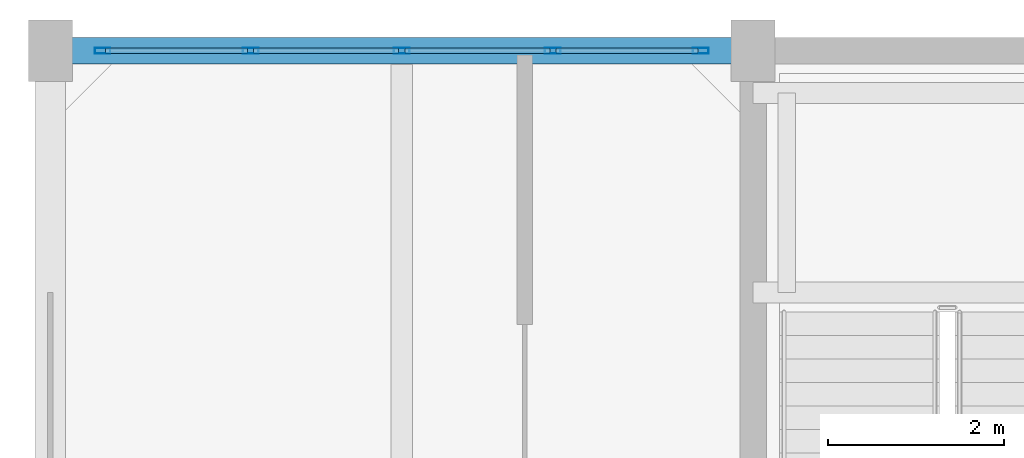
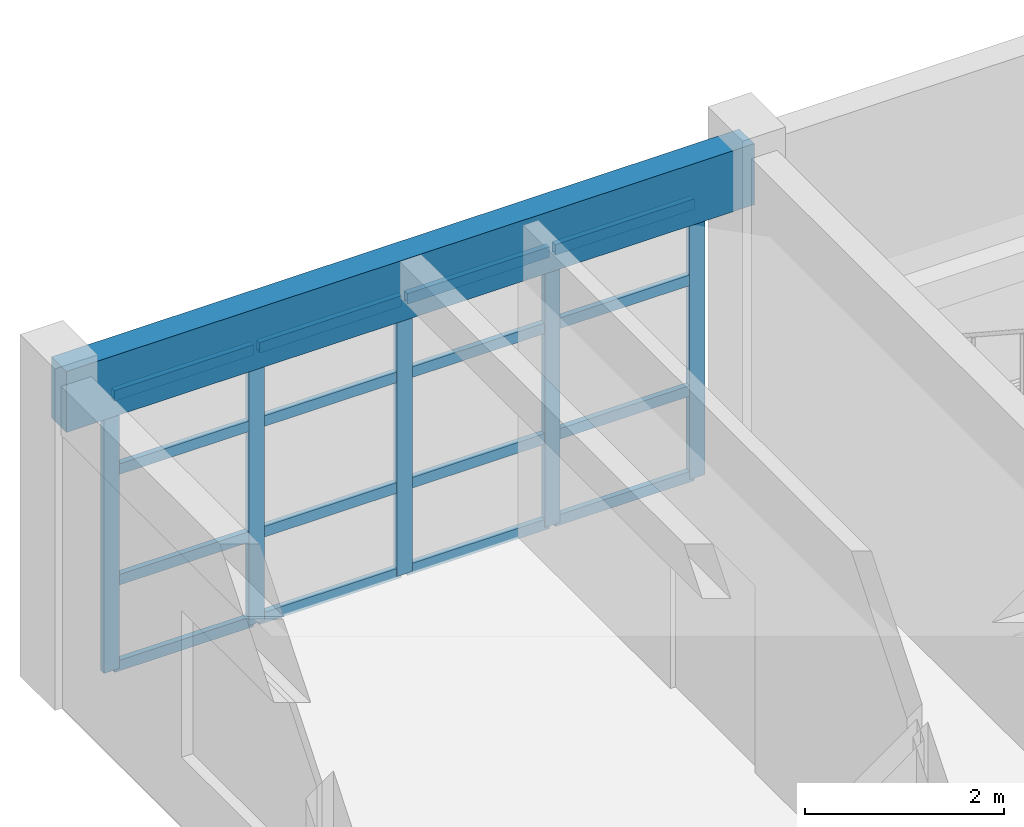
# One storey, part 11 of 18: 21 members, 1 beam, 1 element without a shape of its own.
"""IFC4 building model written with IfcOpenShell, lengths in metres."""

from ifc_helpers import new_model, si_unit, direction, frame, origin, origin_2d, place, context, subcontext, project, spatial, rectangle, hollow_rectangle, extrude, material, layer, layer_set, material_profile, profile_set, type_object, element, aggregate, save


model = new_model("IFC4")

# Units and contexts
model_context = context("Model", 3, precision=1e-05, world=origin(), true_north=direction((0.0, 1.0)))
body_context = subcontext(model_context, "Body", "Model", "MODEL_VIEW")
ifc_project = project(units=[si_unit("LENGTHUNIT", "METRE"), si_unit("AREAUNIT", "SQUARE_METRE"), si_unit("VOLUMEUNIT", "CUBIC_METRE"), si_unit("PLANEANGLEUNIT", "RADIAN"), si_unit("MASSUNIT", "GRAM", prefix="KILO")], contexts=[model_context])

# Site, building, storey
site_placement = place(None, origin())
site = spatial("IfcSite", under=ifc_project, at=site_placement, CompositionType="ELEMENT")
building_placement = place(site_placement, origin())
building = spatial("IfcBuilding", under=site, at=building_placement, Name="Canggui Botanical Conservatory", CompositionType="ELEMENT")
storey_placement = place(building_placement, frame((0.0, 0.0, 52.800048828125)))
storey = spatial("IfcBuildingStorey", under=building, at=storey_placement, Name="L13", CompositionType="ELEMENT", Elevation=52.800048828125)

# Beam
ifc_material_1 = material(Name="Concrete C35", Category="concrete")
ifc_material_profile_1 = material_profile(ifc_material_1, rectangle(XDim=0.300048828125, YDim=0.75, at=origin_2d()), Name="RB 300x750")
ifc_profile_set_1 = profile_set([ifc_material_profile_1], Name="Concrete C35")
beam_type = type_object("IfcBeamType", Name="BM-SPD01", PredefinedType="SPANDREL", material=ifc_profile_set_1)
beam_placement = place(storey_placement, frame((146.0, 66.0, 3.5849609375), z_axis=(1.0, 0.0, 0.0), x_axis=(0.0, 1.0, 0.0)))
element("IfcBeam", 1, at=beam_placement, inside=storey, type_object=beam_type, Name="Frame Girder L13 Y66-1", PredefinedType="SPANDREL", context=body_context, shape_type="SweptSolid", body=[
    extrude(rectangle(XDim=0.300048828125, YDim=0.75, at=origin_2d()), origin(), (0.0, 0.0, 1.0), 8.0),
])

# Curtain wall, members
ifc_material_2 = material(Name="Thermally Broken Aluminium", Category="aluminium")
ifc_layer = layer(ifc_material_2, 0.179931640625, Name="Thermally Broken Aluminium", Category="aluminium")
ifc_layer_set = layer_set([ifc_layer], Name="Thermally Broken Aluminium")
curtain_wall_type = type_object("IfcCurtainWallType", Name="CW-UNIT-A", PredefinedType="USERDEFINED", material=ifc_layer_set)
curtain_wall_placement = place(storey_placement, origin())
curtain_wall = element("IfcCurtainWall", 2, at=curtain_wall_placement, inside=storey, type_object=curtain_wall_type, Name="Facade Curtain Wall CW-TWR-L13-09", ObjectType="UNITISED CURTAIN WALL", PredefinedType="USERDEFINED")
ifc_material_profile_2 = material_profile(ifc_material_2, hollow_rectangle(XDim=0.070068359375, YDim=0.179931640625, WallThickness=0.00390625, at=origin_2d()), Name="CWM 70x180x4")
ifc_profile_set_2 = profile_set([ifc_material_profile_2], Name="Thermally Broken Aluminium")
member_type_1 = type_object("IfcMemberType", Name="CWM-01", PredefinedType="MULLION", material=ifc_profile_set_2)
member_1_placement = place(storey_placement, frame((146.594970703125, 66.0, 0.0), z_axis=(0.0, 0.0, 1.0), x_axis=(0.0, 1.0, 0.0)))
member_1 = element("IfcMember", 3, at=member_1_placement, type_object=member_type_1, Name="CW-01 mullion 1", PredefinedType="MULLION", context=body_context, shape_type="SweptSolid", body=[
    extrude(hollow_rectangle(XDim=0.070068359375, YDim=0.179931640625, WallThickness=0.00390625, at=origin_2d()), origin(), (0.0, 0.0, 1.0), 3.39990234375),
])
member_2_placement = place(storey_placement, frame((148.280029296875, 66.0, 0.0), z_axis=(0.0, 0.0, 1.0), x_axis=(0.0, 1.0, 0.0)))
member_2 = element("IfcMember", 4, at=member_2_placement, type_object=member_type_1, Name="CW-01 mullion 2", PredefinedType="MULLION", context=body_context, shape_type="SweptSolid", body=[
    extrude(hollow_rectangle(XDim=0.070068359375, YDim=0.179931640625, WallThickness=0.00390625, at=origin_2d()), origin(), (0.0, 0.0, 1.0), 3.39990234375),
])
member_3_placement = place(storey_placement, frame((150.0, 66.0, 0.0), z_axis=(0.0, 0.0, 1.0), x_axis=(0.0, 1.0, 0.0)))
member_3 = element("IfcMember", 5, at=member_3_placement, type_object=member_type_1, Name="CW-01 mullion 3", PredefinedType="MULLION", context=body_context, shape_type="SweptSolid", body=[
    extrude(hollow_rectangle(XDim=0.070068359375, YDim=0.179931640625, WallThickness=0.00390625, at=origin_2d()), origin(), (0.0, 0.0, 1.0), 3.39990234375),
])
member_4_placement = place(storey_placement, frame((151.719970703125, 66.0, 0.0), z_axis=(0.0, 0.0, 1.0), x_axis=(0.0, 1.0, 0.0)))
member_4 = element("IfcMember", 6, at=member_4_placement, type_object=member_type_1, Name="CW-01 mullion 4", PredefinedType="MULLION", context=body_context, shape_type="SweptSolid", body=[
    extrude(hollow_rectangle(XDim=0.070068359375, YDim=0.179931640625, WallThickness=0.00390625, at=origin_2d()), origin(), (0.0, 0.0, 1.0), 3.39990234375),
])
member_5_placement = place(storey_placement, frame((153.405029296875, 66.0, 0.0), z_axis=(0.0, 0.0, 1.0), x_axis=(0.0, 1.0, 0.0)))
member_5 = element("IfcMember", 7, at=member_5_placement, type_object=member_type_1, Name="CW-01 mullion 5", PredefinedType="MULLION", context=body_context, shape_type="SweptSolid", body=[
    extrude(hollow_rectangle(XDim=0.070068359375, YDim=0.179931640625, WallThickness=0.00390625, at=origin_2d()), origin(), (0.0, 0.0, 1.0), 3.39990234375),
])
ifc_material_profile_3 = material_profile(ifc_material_2, hollow_rectangle(XDim=0.06494140625, YDim=0.1298828125, WallThickness=0.00341796875, at=origin_2d()), Name="CWT 65x130x3.5")
ifc_profile_set_3 = profile_set([ifc_material_profile_3], Name="Thermally Broken Aluminium")
member_type_2 = type_object("IfcMemberType", Name="CWT-01", PredefinedType="USERDEFINED", material=ifc_profile_set_3)
member_6_placement = place(storey_placement, frame((146.6298828125, 66.0, 0.032470703125), z_axis=(1.0, 0.0, 0.0), x_axis=(0.0, 1.0, 0.0)))
member_6 = element("IfcMember", 8, at=member_6_placement, type_object=member_type_2, Name="CW-01 transom 1.1", ObjectType="TRANSOM", PredefinedType="USERDEFINED", context=body_context, shape_type="SweptSolid", body=[
    extrude(hollow_rectangle(XDim=0.06494140625, YDim=0.1298828125, WallThickness=0.00341796875, at=origin_2d()), origin(), (0.0, 0.0, 1.0), 1.615234375),
])
member_7_placement = place(storey_placement, frame((146.6298828125, 66.0, 1.087890625), z_axis=(1.0, 0.0, 0.0), x_axis=(0.0, 1.0, 0.0)))
member_7 = element("IfcMember", 9, at=member_7_placement, type_object=member_type_2, Name="CW-01 transom 1.2", ObjectType="TRANSOM", PredefinedType="USERDEFINED", context=body_context, shape_type="SweptSolid", body=[
    extrude(hollow_rectangle(XDim=0.06494140625, YDim=0.1298828125, WallThickness=0.00341796875, at=origin_2d()), origin(), (0.0, 0.0, 1.0), 1.615234375),
])
member_8_placement = place(storey_placement, frame((146.6298828125, 66.0, 2.447998046875), z_axis=(1.0, 0.0, 0.0), x_axis=(0.0, 1.0, 0.0)))
member_8 = element("IfcMember", 10, at=member_8_placement, type_object=member_type_2, Name="CW-01 transom 1.3", ObjectType="TRANSOM", PredefinedType="USERDEFINED", context=body_context, shape_type="SweptSolid", body=[
    extrude(hollow_rectangle(XDim=0.06494140625, YDim=0.1298828125, WallThickness=0.00341796875, at=origin_2d()), origin(), (0.0, 0.0, 1.0), 1.615234375),
])
member_9_placement = place(storey_placement, frame((146.6298828125, 66.0, 3.367431640625), z_axis=(1.0, 0.0, 0.0), x_axis=(0.0, 1.0, 0.0)))
member_9 = element("IfcMember", 11, at=member_9_placement, type_object=member_type_2, Name="CW-01 transom 1.4", ObjectType="TRANSOM", PredefinedType="USERDEFINED", context=body_context, shape_type="SweptSolid", body=[
    extrude(hollow_rectangle(XDim=0.06494140625, YDim=0.1298828125, WallThickness=0.00341796875, at=origin_2d()), origin(), (0.0, 0.0, 1.0), 1.615234375),
])
member_10_placement = place(storey_placement, frame((148.31494140625, 66.0, 0.032470703125), z_axis=(1.0, 0.0, 0.0), x_axis=(0.0, 1.0, 0.0)))
member_10 = element("IfcMember", 12, at=member_10_placement, type_object=member_type_2, Name="CW-01 transom 2.1", ObjectType="TRANSOM", PredefinedType="USERDEFINED", context=body_context, shape_type="SweptSolid", body=[
    extrude(hollow_rectangle(XDim=0.06494140625, YDim=0.1298828125, WallThickness=0.00341796875, at=origin_2d()), origin(), (0.0, 0.0, 1.0), 1.650146484375),
])
member_11_placement = place(storey_placement, frame((148.31494140625, 66.0, 1.087890625), z_axis=(1.0, 0.0, 0.0), x_axis=(0.0, 1.0, 0.0)))
member_11 = element("IfcMember", 13, at=member_11_placement, type_object=member_type_2, Name="CW-01 transom 2.2", ObjectType="TRANSOM", PredefinedType="USERDEFINED", context=body_context, shape_type="SweptSolid", body=[
    extrude(hollow_rectangle(XDim=0.06494140625, YDim=0.1298828125, WallThickness=0.00341796875, at=origin_2d()), origin(), (0.0, 0.0, 1.0), 1.650146484375),
])
member_12_placement = place(storey_placement, frame((148.31494140625, 66.0, 2.447998046875), z_axis=(1.0, 0.0, 0.0), x_axis=(0.0, 1.0, 0.0)))
member_12 = element("IfcMember", 14, at=member_12_placement, type_object=member_type_2, Name="CW-01 transom 2.3", ObjectType="TRANSOM", PredefinedType="USERDEFINED", context=body_context, shape_type="SweptSolid", body=[
    extrude(hollow_rectangle(XDim=0.06494140625, YDim=0.1298828125, WallThickness=0.00341796875, at=origin_2d()), origin(), (0.0, 0.0, 1.0), 1.650146484375),
])
member_13_placement = place(storey_placement, frame((148.31494140625, 66.0, 3.367431640625), z_axis=(1.0, 0.0, 0.0), x_axis=(0.0, 1.0, 0.0)))
member_13 = element("IfcMember", 15, at=member_13_placement, type_object=member_type_2, Name="CW-01 transom 2.4", ObjectType="TRANSOM", PredefinedType="USERDEFINED", context=body_context, shape_type="SweptSolid", body=[
    extrude(hollow_rectangle(XDim=0.06494140625, YDim=0.1298828125, WallThickness=0.00341796875, at=origin_2d()), origin(), (0.0, 0.0, 1.0), 1.650146484375),
])
member_14_placement = place(storey_placement, frame((150.034912109375, 66.0, 0.032470703125), z_axis=(1.0, 0.0, 0.0), x_axis=(0.0, 1.0, 0.0)))
member_14 = element("IfcMember", 16, at=member_14_placement, type_object=member_type_2, Name="CW-01 transom 3.1", ObjectType="TRANSOM", PredefinedType="USERDEFINED", context=body_context, shape_type="SweptSolid", body=[
    extrude(hollow_rectangle(XDim=0.06494140625, YDim=0.1298828125, WallThickness=0.00341796875, at=origin_2d()), origin(), (0.0, 0.0, 1.0), 1.650146484375),
])
member_15_placement = place(storey_placement, frame((150.034912109375, 66.0, 1.087890625), z_axis=(1.0, 0.0, 0.0), x_axis=(0.0, 1.0, 0.0)))
member_15 = element("IfcMember", 17, at=member_15_placement, type_object=member_type_2, Name="CW-01 transom 3.2", ObjectType="TRANSOM", PredefinedType="USERDEFINED", context=body_context, shape_type="SweptSolid", body=[
    extrude(hollow_rectangle(XDim=0.06494140625, YDim=0.1298828125, WallThickness=0.00341796875, at=origin_2d()), origin(), (0.0, 0.0, 1.0), 1.650146484375),
])
member_16_placement = place(storey_placement, frame((150.034912109375, 66.0, 2.447998046875), z_axis=(1.0, 0.0, 0.0), x_axis=(0.0, 1.0, 0.0)))
member_16 = element("IfcMember", 18, at=member_16_placement, type_object=member_type_2, Name="CW-01 transom 3.3", ObjectType="TRANSOM", PredefinedType="USERDEFINED", context=body_context, shape_type="SweptSolid", body=[
    extrude(hollow_rectangle(XDim=0.06494140625, YDim=0.1298828125, WallThickness=0.00341796875, at=origin_2d()), origin(), (0.0, 0.0, 1.0), 1.650146484375),
])
member_17_placement = place(storey_placement, frame((150.034912109375, 66.0, 3.367431640625), z_axis=(1.0, 0.0, 0.0), x_axis=(0.0, 1.0, 0.0)))
member_17 = element("IfcMember", 19, at=member_17_placement, type_object=member_type_2, Name="CW-01 transom 3.4", ObjectType="TRANSOM", PredefinedType="USERDEFINED", context=body_context, shape_type="SweptSolid", body=[
    extrude(hollow_rectangle(XDim=0.06494140625, YDim=0.1298828125, WallThickness=0.00341796875, at=origin_2d()), origin(), (0.0, 0.0, 1.0), 1.650146484375),
])
member_18_placement = place(storey_placement, frame((151.7548828125, 66.0, 0.032470703125), z_axis=(1.0, 0.0, 0.0), x_axis=(0.0, 1.0, 0.0)))
member_18 = element("IfcMember", 20, at=member_18_placement, type_object=member_type_2, Name="CW-01 transom 4.1", ObjectType="TRANSOM", PredefinedType="USERDEFINED", context=body_context, shape_type="SweptSolid", body=[
    extrude(hollow_rectangle(XDim=0.06494140625, YDim=0.1298828125, WallThickness=0.00341796875, at=origin_2d()), origin(), (0.0, 0.0, 1.0), 1.615234375),
])
member_19_placement = place(storey_placement, frame((151.7548828125, 66.0, 1.087890625), z_axis=(1.0, 0.0, 0.0), x_axis=(0.0, 1.0, 0.0)))
member_19 = element("IfcMember", 21, at=member_19_placement, type_object=member_type_2, Name="CW-01 transom 4.2", ObjectType="TRANSOM", PredefinedType="USERDEFINED", context=body_context, shape_type="SweptSolid", body=[
    extrude(hollow_rectangle(XDim=0.06494140625, YDim=0.1298828125, WallThickness=0.00341796875, at=origin_2d()), origin(), (0.0, 0.0, 1.0), 1.615234375),
])
member_20_placement = place(storey_placement, frame((151.7548828125, 66.0, 2.447998046875), z_axis=(1.0, 0.0, 0.0), x_axis=(0.0, 1.0, 0.0)))
member_20 = element("IfcMember", 22, at=member_20_placement, type_object=member_type_2, Name="CW-01 transom 4.3", ObjectType="TRANSOM", PredefinedType="USERDEFINED", context=body_context, shape_type="SweptSolid", body=[
    extrude(hollow_rectangle(XDim=0.06494140625, YDim=0.1298828125, WallThickness=0.00341796875, at=origin_2d()), origin(), (0.0, 0.0, 1.0), 1.615234375),
])
member_21_placement = place(storey_placement, frame((151.7548828125, 66.0, 3.367431640625), z_axis=(1.0, 0.0, 0.0), x_axis=(0.0, 1.0, 0.0)))
member_21 = element("IfcMember", 23, at=member_21_placement, type_object=member_type_2, Name="CW-01 transom 4.4", ObjectType="TRANSOM", PredefinedType="USERDEFINED", context=body_context, shape_type="SweptSolid", body=[
    extrude(hollow_rectangle(XDim=0.06494140625, YDim=0.1298828125, WallThickness=0.00341796875, at=origin_2d()), origin(), (0.0, 0.0, 1.0), 1.615234375),
])
aggregate(curtain_wall, [member_1, member_2, member_3, member_4, member_5, member_6, member_7, member_8, member_9, member_10, member_11, member_12, member_13, member_14, member_15, member_16, member_17, member_18, member_19, member_20, member_21])

save(model, "model.ifc")
